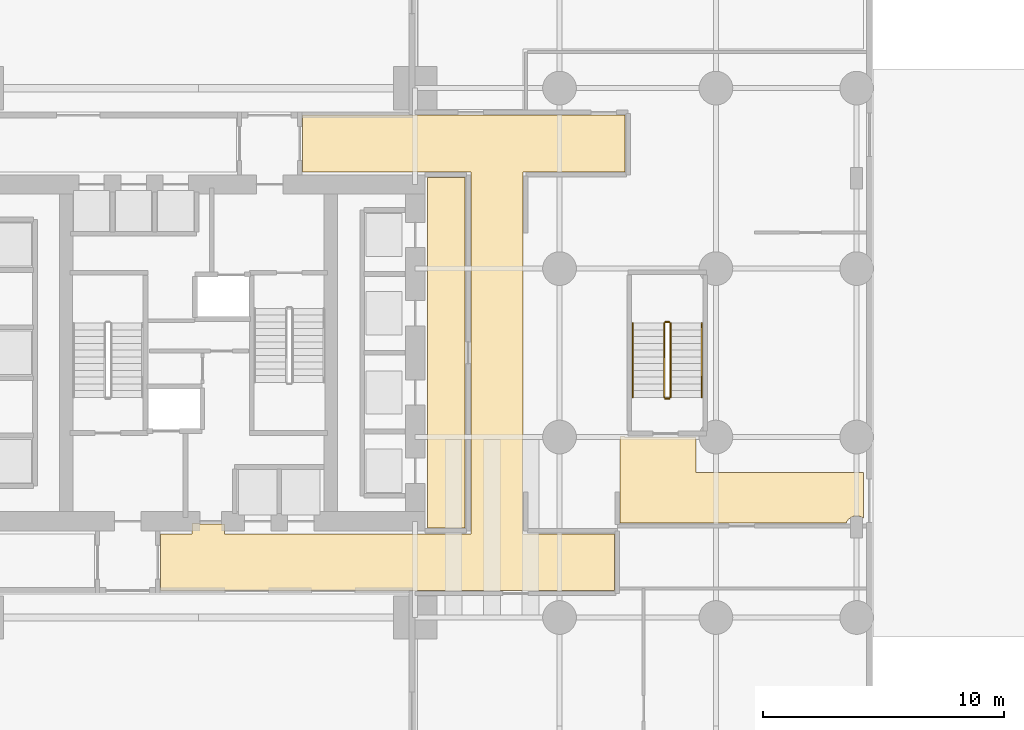
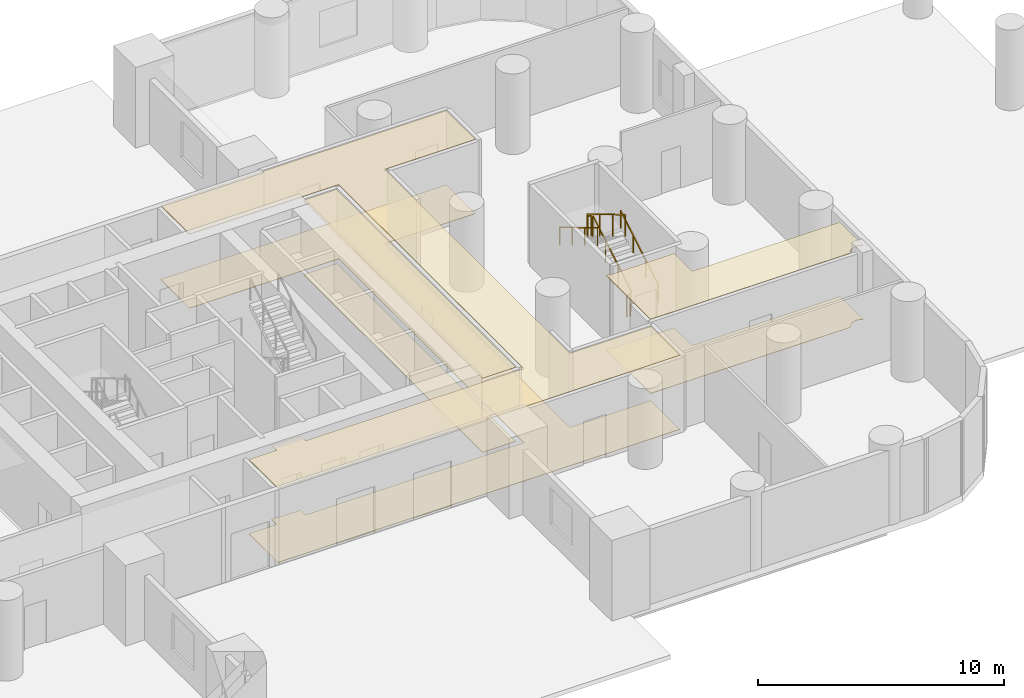
# One storey, part 8 of 10: 6 coverings, 6 railings.
"""IFC4 building model written with IfcOpenShell, lengths in metres."""

import ifcopenshell
import ifcopenshell.guid

model = None  # the IFC model being written
_history = None  # IfcOwnerHistory: only IFC2X3 demands one
_inside = {}  # id of a spatial element -> (the spatial element, [elements in it])
_under = {}  # id of a project, library or spatial element -> (it, [spatial elements below it])
_declared = {}  # id of a project -> (the project, [libraries it declares])
_typed = {}  # id of a type object -> (the type object, [elements of that type])
_made_of = {}  # id of a material, layer set ... -> (it, [elements and type objects made of it])


def new_model(schema):
    """Start an empty IFC model of exactly this schema.

    Asked for "IFC4X3", IfcOpenShell would pick the latest addendum, in which some entities
    have other attributes; the version numbers below select the first issue.
    IFC2X3 requires an IfcOwnerHistory on every rooted entity: one is made here for all.
    """
    global model, _history
    if schema == "IFC4X3":
        model = ifcopenshell.file(schema_version=(4, 3, 0, 0))
    else:
        model = ifcopenshell.file(schema=schema)
    _inside.clear()
    _under.clear()
    _declared.clear()
    _typed.clear()
    _made_of.clear()
    _history = None
    if model.schema == "IFC2X3":
        org = make("IfcOrganization", Name="unknown")
        user = make(
            "IfcPersonAndOrganization",
            ThePerson=make("IfcPerson", FamilyName="unknown"),
            TheOrganization=org,
        )
        app = make(
            "IfcApplication",
            ApplicationDeveloper=org,
            Version="unknown",
            ApplicationFullName="unknown",
            ApplicationIdentifier="unknown",
        )
        _history = make(
            "IfcOwnerHistory",
            OwningUser=user,
            OwningApplication=app,
            ChangeAction="ADDED",
            CreationDate=0,
        )
    return model


def make(cls, **values):
    """One entity of the class cls with the attributes given. An attribute that is None is left unset."""
    return model.create_entity(
        cls, **{name: value for name, value in values.items() if value is not None}
    )


def rooted(cls, **values):
    """An entity with a GlobalId (a new one), such as an element, a storey or a relation."""
    return make(cls, GlobalId=ifcopenshell.guid.new(), OwnerHistory=_history, **values)


def si_unit(unit_type, name, prefix=None):
    """IfcSIUnit, for example si_unit("LENGTHUNIT", "METRE", prefix="MILLI")."""
    return make("IfcSIUnit", UnitType=unit_type, Prefix=prefix, Name=name)


def assignment(units):
    """IfcUnitAssignment: the units of a project."""
    return None if units is None else make("IfcUnitAssignment", Units=units)


def point(xyz):
    """IfcCartesianPoint."""
    return None if xyz is None else make("IfcCartesianPoint", Coordinates=xyz)


def direction(xyz):
    """IfcDirection."""
    return None if xyz is None else make("IfcDirection", DirectionRatios=xyz)


def frame(location, z_axis=None, x_axis=None):
    """IfcAxis2Placement3D, a coordinate frame: its origin and axes. An axis left out is left unset."""
    return make(
        "IfcAxis2Placement3D",
        Location=point(location),
        Axis=direction(z_axis),
        RefDirection=direction(x_axis),
    )


def frame_2d(location, x_axis=None):
    """IfcAxis2Placement2D, a coordinate frame in the plane: its origin and x axis."""
    return make(
        "IfcAxis2Placement2D", Location=point(location), RefDirection=direction(x_axis)
    )


def origin():
    """The frame at (0, 0, 0) with its axes left unset."""
    return frame((0.0, 0.0, 0.0))


def origin_2d():
    """The frame at (0, 0) in the plane with its x axis left unset."""
    return frame_2d((0.0, 0.0))


def place(relative_to, where):
    """IfcLocalPlacement: puts the frame where relative to a parent placement (None: the world)."""
    return make(
        "IfcLocalPlacement", PlacementRelTo=relative_to, RelativePlacement=where
    )


def context(
    kind, dimensions, precision=None, world=None, true_north=None, identifier=None
):
    """IfcGeometricRepresentationContext, for example the 3D "Model" context."""
    return make(
        "IfcGeometricRepresentationContext",
        ContextIdentifier=identifier,
        ContextType=kind,
        CoordinateSpaceDimension=dimensions,
        Precision=precision,
        WorldCoordinateSystem=world,
        TrueNorth=true_north,
    )


def subcontext(parent, identifier, kind, view, scale=None):
    """IfcGeometricRepresentationSubContext, for example "Body" below "Model"."""
    return make(
        "IfcGeometricRepresentationSubContext",
        ContextIdentifier=identifier,
        ContextType=kind,
        ParentContext=parent,
        TargetScale=scale,
        TargetView=view,
    )


def project(units=None, contexts=None):
    """IfcProject with its units and contexts."""
    return rooted(
        "IfcProject",
        Name="project",
        RepresentationContexts=contexts,
        UnitsInContext=assignment(units),
    )


def spatial(cls, under=None, at=None, **own):
    """A site, building, storey or space (cls), placed at a placement, below another one or the project."""
    s = rooted(cls, ObjectPlacement=at, **own)
    if under is not None:
        _under.setdefault(under.id(), (under, []))[1].append(s)
    return s


def polyline(points):
    """IfcPolyline through the points."""
    return make("IfcPolyline", Points=[point(p) for p in points])


def profile(cls, at=None, kind="AREA", **sizes):
    """A parametric profile (cls). Its sizes go by their IFC names, for example OverallWidth=200.0."""
    return make(cls, ProfileType=kind, Position=at, **sizes)


def rectangle(**sizes):
    """IfcRectangleProfileDef."""
    return profile("IfcRectangleProfileDef", **sizes)


def outline(outer, holes=None, kind="AREA"):
    """IfcArbitraryClosedProfileDef: a profile drawn as a closed curve; with holes, ...WithVoids."""
    if holes is None:
        return make("IfcArbitraryClosedProfileDef", ProfileType=kind, OuterCurve=outer)
    return make(
        "IfcArbitraryProfileDefWithVoids",
        ProfileType=kind,
        OuterCurve=outer,
        InnerCurves=holes,
    )


def extrude(swept, where, along, depth):
    """IfcExtrudedAreaSolid: the profile swept, set in the frame where, extruded along a direction by depth."""
    return make(
        "IfcExtrudedAreaSolid",
        SweptArea=swept,
        Position=where,
        ExtrudedDirection=direction(along),
        Depth=depth,
    )


def shape(context_of_items, identifier, shape_type, items):
    """IfcShapeRepresentation: the items that make up one representation, for example the "Body"."""
    return make(
        "IfcShapeRepresentation",
        ContextOfItems=context_of_items,
        RepresentationIdentifier=identifier,
        RepresentationType=shape_type,
        Items=items,
    )


def material(Name=None, Category=None):
    """IfcMaterial."""
    return make("IfcMaterial", Name=Name, Category=Category)


def layer(
    of_material, thickness, ventilated=None, Name=None, Category=None, Priority=None
):
    """IfcMaterialLayer: one layer of a wall or slab, of a material (None: an air gap)."""
    return make(
        "IfcMaterialLayer",
        Material=of_material,
        LayerThickness=thickness,
        IsVentilated=ventilated,
        Name=Name,
        Category=Category,
        Priority=Priority,
    )


def layer_set(layers, Name=None):
    """IfcMaterialLayerSet."""
    return make("IfcMaterialLayerSet", MaterialLayers=layers, LayerSetName=Name)


def made_of(thing, what):
    """Note that an element or type object is made of a material, layer set ...; save() writes the relation."""
    if what is not None:
        _made_of.setdefault(what.id(), (what, []))[1].append(thing)
    return thing


def type_object(cls, material=None, **own):
    """A type object (cls), such as IfcWallType, which elements share."""
    return made_of(rooted(cls, **own), material)


def element(
    cls,
    number,
    at=None,
    inside=None,
    cuts=None,
    type_object=None,
    material=None,
    context=None,
    identifier="Body",
    shape_type=None,
    held_by="IfcProductDefinitionShape",
    body=None,
    shapes=None,
    **own,
):
    """One element of the class cls, such as IfcWall. Its Tag is "e" and its number.

    at: its placement. inside: the storey or other place that contains it. cuts: it is an
    opening in that element (IfcRelVoidsElement). A single representation is given by context,
    identifier, shape_type and body (its items); several are given by shapes. held_by: the class
    of the entity that holds the representations. save() writes the other relations.
    """
    e = rooted(cls, Tag="e%d" % number, ObjectPlacement=at, **own)
    if body is not None:
        shapes = [shape(context, identifier, shape_type, body)]
    if shapes is not None:
        e.Representation = make(held_by, Representations=shapes)
    if inside is not None:
        _inside.setdefault(inside.id(), (inside, []))[1].append(e)
    if cuts is not None:
        rooted(
            "IfcRelVoidsElement", RelatingBuildingElement=cuts, RelatedOpeningElement=e
        )
    if type_object is not None:
        _typed.setdefault(type_object.id(), (type_object, []))[1].append(e)
    return made_of(e, material)


def aggregate(whole, parts):
    """IfcRelAggregates: a whole, such as a stair, and the parts it consists of."""
    return rooted("IfcRelAggregates", RelatingObject=whole, RelatedObjects=parts)


def save(model, path):
    """Write the relations noted so far, then the file.

    IfcRelAggregates (storeys below a building ...), IfcRelContainedInSpatialStructure (elements
    in a storey), IfcRelDefinesByType, IfcRelAssociatesMaterial and IfcRelDeclares: one each for
    every whole, place, type object, material and project.
    """
    for whole, parts in _under.values():
        aggregate(whole, parts)
    for where, things in _inside.values():
        rooted(
            "IfcRelContainedInSpatialStructure",
            RelatedElements=things,
            RelatingStructure=where,
        )
    for kind, things in _typed.values():
        rooted("IfcRelDefinesByType", RelatedObjects=things, RelatingType=kind)
    for what, things in _made_of.values():
        rooted("IfcRelAssociatesMaterial", RelatedObjects=things, RelatingMaterial=what)
    for by, libraries in _declared.values():
        rooted("IfcRelDeclares", RelatingContext=by, RelatedDefinitions=libraries)
    model.write(path)


model = new_model("IFC4")

# Units and contexts
model_context = context("Model", 3, precision=1e-05, world=origin(), true_north=direction((0.0, 1.0)))
body_context = subcontext(model_context, "Body", "Model", "MODEL_VIEW")
ifc_project = project(units=[si_unit("LENGTHUNIT", "METRE"), si_unit("AREAUNIT", "SQUARE_METRE"), si_unit("VOLUMEUNIT", "CUBIC_METRE"), si_unit("PLANEANGLEUNIT", "RADIAN"), si_unit("MASSUNIT", "GRAM", prefix="KILO")], contexts=[model_context])

# Site, building, storey
site_placement = place(None, origin())
site = spatial("IfcSite", under=ifc_project, at=site_placement, CompositionType="ELEMENT")
building_placement = place(site_placement, origin())
building = spatial("IfcBuilding", under=site, at=building_placement, Name="Veldorim Arch Residences", CompositionType="ELEMENT")
storey_placement = place(building_placement, origin())
storey = spatial("IfcBuildingStorey", under=building, at=storey_placement, Name="L00", CompositionType="ELEMENT", Elevation=0.0)

# Railings
ifc_material_1 = material(Name="Steel S355", Category="steel")
railing_type_1 = type_object("IfcRailingType", Name="Galvanised Steel Stair Safety Guardrail 1100", PredefinedType="GUARDRAIL", material=ifc_material_1)
railing_1_placement = place(storey_placement, frame((51.610107421875, 22.14990234375, 0.166748046875)))
element("IfcRailing", 1, at=railing_1_placement, inside=storey, type_object=railing_type_1, Name="L00 ST-3 stair guard 1", PredefinedType="GUARDRAIL", context=body_context, shape_type="SweptSolid", body=[
    extrude(rectangle(XDim=0.048095703125, YDim=0.048095703125, at=origin_2d()), frame((0.0, 0.0, 1.076171875), z_axis=(0.0, 0.859308565015, 0.511457515432), x_axis=(-1.0, 0.0, 0.0)), (0.0, 0.0, 1.0), 3.58447265625),
    extrude(rectangle(XDim=0.0419921875, YDim=0.0419921875, at=origin_2d()), origin(), (0.0, 0.0, 1.0), 1.052001953125),
    extrude(rectangle(XDim=0.0419921875, YDim=0.0419921875, at=origin_2d()), frame((0.0, 1.026611328125, 0.611083984375)), (0.0, 0.0, 1.0), 1.052001953125),
    extrude(rectangle(XDim=0.0419921875, YDim=0.0419921875, at=origin_2d()), frame((0.0, 2.053466796875, 1.22216796875)), (0.0, 0.0, 1.0), 1.052001953125),
    extrude(rectangle(XDim=0.0419921875, YDim=0.0419921875, at=origin_2d()), frame((0.0, 3.080078125, 1.833251953125)), (0.0, 0.0, 1.0), 1.052001953125),
])
railing_2_placement = place(storey_placement, frame((51.56005859375, 25.280029296875, 2.0)))
element("IfcRailing", 2, at=railing_2_placement, inside=storey, type_object=railing_type_1, Name="L00 ST-3 stair guard 2", PredefinedType="GUARDRAIL", context=body_context, shape_type="SweptSolid", body=[
    extrude(rectangle(XDim=0.048095703125, YDim=0.048095703125, at=origin_2d()), frame((0.0, 0.0, 1.076171875), z_axis=(-1.0, 0.0, 0.0), x_axis=(0.0, -1.0, 0.0)), (0.0, 0.0, 1.0), 0.16015625),
    extrude(rectangle(XDim=0.0419921875, YDim=0.0419921875, at=origin_2d()), origin(), (0.0, 0.0, 1.0), 1.052001953125),
    extrude(rectangle(XDim=0.0419921875, YDim=0.0419921875, at=origin_2d()), frame((-0.16015625, 0.0, 0.0)), (0.0, 0.0, 1.0), 1.052001953125),
])
railing_3_placement = place(storey_placement, frame((51.35009765625, 25.22998046875, 2.166748046875)))
element("IfcRailing", 3, at=railing_3_placement, inside=storey, type_object=railing_type_1, Name="L00 ST-3 stair guard 3", PredefinedType="GUARDRAIL", context=body_context, shape_type="SweptSolid", body=[
    extrude(rectangle(XDim=0.048095703125, YDim=0.048095703125, at=origin_2d()), frame((0.0, 0.0, 1.076171875), z_axis=(0.0, -0.859308565015, 0.511457515432), x_axis=(1.0, 0.0, 0.0)), (0.0, 0.0, 1.0), 3.58447265625),
    extrude(rectangle(XDim=0.0419921875, YDim=0.0419921875, at=origin_2d()), origin(), (0.0, 0.0, 1.0), 1.052001953125),
    extrude(rectangle(XDim=0.0419921875, YDim=0.0419921875, at=origin_2d()), frame((0.0, -1.026611328125, 0.611083984375)), (0.0, 0.0, 1.0), 1.052001953125),
    extrude(rectangle(XDim=0.0419921875, YDim=0.0419921875, at=origin_2d()), frame((0.0, -2.053466796875, 1.22216796875)), (0.0, 0.0, 1.0), 1.052001953125),
    extrude(rectangle(XDim=0.0419921875, YDim=0.0419921875, at=origin_2d()), frame((0.0, -3.080078125, 1.833251953125)), (0.0, 0.0, 1.0), 1.052001953125),
])
railing_4_placement = place(storey_placement, frame((51.56005859375, 22.10009765625, 0.0)))
element("IfcRailing", 4, at=railing_4_placement, inside=storey, type_object=railing_type_1, Name="L00 ST-3 stair guard 4", PredefinedType="GUARDRAIL", context=body_context, shape_type="SweptSolid", body=[
    extrude(rectangle(XDim=0.048095703125, YDim=0.048095703125, at=origin_2d()), frame((0.0, 0.0, 1.076171875), z_axis=(-1.0, 0.0, 0.0), x_axis=(0.0, -1.0, 0.0)), (0.0, 0.0, 1.0), 0.16015625),
    extrude(rectangle(XDim=0.0419921875, YDim=0.0419921875, at=origin_2d()), origin(), (0.0, 0.0, 1.0), 1.052001953125),
    extrude(rectangle(XDim=0.0419921875, YDim=0.0419921875, at=origin_2d()), frame((-0.16015625, 0.0, 0.0)), (0.0, 0.0, 1.0), 1.052001953125),
])

# Coverings
ifc_material_2 = material(Name="Acoustic Gypsum & Mineral Fibre", Category="gypsum")
ifc_layer_1 = layer(ifc_material_2, 0.034912109375, Name="Perforated Acoustic Mineral-Fibre Ceiling 35")
ifc_layer_set_1 = layer_set([ifc_layer_1], Name="Acoustic Gypsum & Mineral Fibre")
covering_type_1 = type_object("IfcCoveringType", Name="Perforated Acoustic Mineral-Fibre Ceiling 35", PredefinedType="CEILING", material=ifc_layer_set_1)
covering_1_placement = place(storey_placement, frame((0.0, 0.0, 3.6650390625)))
element("IfcCovering", 5, at=covering_1_placement, inside=storey, type_object=covering_type_1, Name="L00 acoustic suspended ceiling 01", PredefinedType="CEILING", context=body_context, shape_type="SweptSolid", body=[
    extrude(outline(polyline([(49.52001953125, 20.530029296875), (49.72998046875, 20.530029296875), (49.72998046875, 20.47998046875), (52.679931640625, 20.47998046875), (52.679931640625, 19.030029296875), (59.6298828125, 19.030029296875), (59.6298828125, 17.12890625), (59.58740234375, 17.161376953125), (59.472900390625, 17.208740234375), (59.35009765625, 17.22509765625), (59.22705078125, 17.208740234375), (59.112548828125, 17.161376953125), (59.01416015625, 17.0859375), (58.938720703125, 16.987548828125), (58.91064453125, 16.919921875), (49.52001953125, 16.919921875), (49.52001953125, 20.530029296875)])), origin(), (0.0, 0.0, 1.0), 0.034912109375),
])
covering_2_placement = place(storey_placement, frame((0.0, 0.0, 3.6650390625)))
element("IfcCovering", 6, at=covering_2_placement, inside=storey, type_object=covering_type_1, Name="L00 acoustic suspended ceiling 02", PredefinedType="CEILING", context=body_context, shape_type="SweptSolid", body=[
    extrude(outline(polyline([(32.030029296875, 16.8798828125), (33.080078125, 16.8798828125), (33.080078125, 16.47998046875), (43.320068359375, 16.47998046875), (43.320068359375, 31.52001953125), (36.320068359375, 31.52001953125), (36.320068359375, 33.8798828125), (49.72998046875, 33.8798828125), (49.72998046875, 31.52001953125), (45.47998046875, 31.52001953125), (45.47998046875, 16.47998046875), (49.280029296875, 16.47998046875), (49.280029296875, 14.1201171875), (30.419921875, 14.1201171875), (30.419921875, 16.47998046875), (31.719970703125, 16.47998046875), (31.719970703125, 16.89990234375), (32.030029296875, 16.89990234375), (32.030029296875, 16.8798828125)])), origin(), (0.0, 0.0, 1.0), 0.034912109375),
])
covering_3_placement = place(storey_placement, frame((0.0, 0.0, 3.6650390625)))
element("IfcCovering", 7, at=covering_3_placement, inside=storey, type_object=covering_type_1, Name="L00 acoustic suspended ceiling 05", PredefinedType="CEILING", context=body_context, shape_type="SweptSolid", body=[
    extrude(outline(polyline([(43.080078125, 16.719970703125), (41.52001953125, 16.719970703125), (41.52001953125, 31.280029296875), (43.080078125, 31.280029296875), (43.080078125, 16.719970703125)])), origin(), (0.0, 0.0, 1.0), 0.034912109375),
])
ifc_material_3 = material(Name="Porcelain Ceramic Tile", Category="ceramic")
ifc_layer_2 = layer(ifc_material_3, 0.02001953125, Name="Slip-Resistant Porcelain & Vinyl Floor Finish 20")
ifc_layer_set_2 = layer_set([ifc_layer_2], Name="Porcelain Ceramic Tile")
covering_type_2 = type_object("IfcCoveringType", Name="Slip-Resistant Porcelain & Vinyl Floor Finish 20", PredefinedType="FLOORING", material=ifc_layer_set_2)
covering_4_placement = place(storey_placement, origin())
element("IfcCovering", 8, at=covering_4_placement, inside=storey, type_object=covering_type_2, Name="L00 porcelain floor finish 01", PredefinedType="FLOORING", context=body_context, shape_type="SweptSolid", body=[
    extrude(outline(polyline([(49.52001953125, 20.530029296875), (49.72998046875, 20.530029296875), (49.72998046875, 20.47998046875), (52.679931640625, 20.47998046875), (52.679931640625, 19.030029296875), (59.6298828125, 19.030029296875), (59.6298828125, 17.12890625), (59.58740234375, 17.161376953125), (59.472900390625, 17.208740234375), (59.35009765625, 17.22509765625), (59.22705078125, 17.208740234375), (59.112548828125, 17.161376953125), (59.01416015625, 17.0859375), (58.938720703125, 16.987548828125), (58.91064453125, 16.919921875), (49.52001953125, 16.919921875), (49.52001953125, 20.530029296875)])), origin(), (0.0, 0.0, 1.0), 0.02001953125),
])
covering_5_placement = place(storey_placement, origin())
element("IfcCovering", 9, at=covering_5_placement, inside=storey, type_object=covering_type_2, Name="L00 porcelain floor finish 02", PredefinedType="FLOORING", context=body_context, shape_type="SweptSolid", body=[
    extrude(outline(polyline([(32.030029296875, 16.8798828125), (33.080078125, 16.8798828125), (33.080078125, 16.47998046875), (43.320068359375, 16.47998046875), (43.320068359375, 31.52001953125), (36.320068359375, 31.52001953125), (36.320068359375, 33.8798828125), (49.72998046875, 33.8798828125), (49.72998046875, 31.52001953125), (45.47998046875, 31.52001953125), (45.47998046875, 16.47998046875), (49.280029296875, 16.47998046875), (49.280029296875, 14.1201171875), (30.419921875, 14.1201171875), (30.419921875, 16.47998046875), (31.719970703125, 16.47998046875), (31.719970703125, 16.89990234375), (32.030029296875, 16.89990234375), (32.030029296875, 16.8798828125)])), origin(), (0.0, 0.0, 1.0), 0.02001953125),
])
covering_6_placement = place(storey_placement, origin())
element("IfcCovering", 10, at=covering_6_placement, inside=storey, type_object=covering_type_2, Name="L00 porcelain floor finish 05", PredefinedType="FLOORING", context=body_context, shape_type="SweptSolid", body=[
    extrude(outline(polyline([(43.080078125, 16.719970703125), (41.52001953125, 16.719970703125), (41.52001953125, 31.280029296875), (43.080078125, 31.280029296875), (43.080078125, 16.719970703125)])), origin(), (0.0, 0.0, 1.0), 0.02001953125),
])

# Railings
ifc_material_4 = material(Name="Stainless Steel", Category="steel")
railing_type_2 = type_object("IfcRailingType", Name="Tubular Steel Continuous Wall Handrail 900", PredefinedType="HANDRAIL", material=ifc_material_4)
railing_5_placement = place(storey_placement, frame((52.909912109375, 22.14990234375, 0.166748046875)))
element("IfcRailing", 11, at=railing_5_placement, inside=storey, type_object=railing_type_2, Name="L00 ST-3 stair handrail 1", PredefinedType="HANDRAIL", context=body_context, shape_type="SweptSolid", body=[
    extrude(rectangle(XDim=0.048095703125, YDim=0.048095703125, at=origin_2d()), frame((0.0, 0.0, 0.8759765625), z_axis=(0.0, 0.859308565015, 0.511457515432), x_axis=(-1.0, 0.0, 0.0)), (0.0, 0.0, 1.0), 3.58447265625),
    extrude(rectangle(XDim=0.0419921875, YDim=0.0419921875, at=origin_2d()), origin(), (0.0, 0.0, 1.0), 0.851806640625),
    extrude(rectangle(XDim=0.0419921875, YDim=0.0419921875, at=origin_2d()), frame((0.0, 1.026611328125, 0.611083984375)), (0.0, 0.0, 1.0), 0.851806640625),
    extrude(rectangle(XDim=0.0419921875, YDim=0.0419921875, at=origin_2d()), frame((0.0, 2.053466796875, 1.22216796875)), (0.0, 0.0, 1.0), 0.851806640625),
    extrude(rectangle(XDim=0.0419921875, YDim=0.0419921875, at=origin_2d()), frame((0.0, 3.080078125, 1.833251953125)), (0.0, 0.0, 1.0), 0.851806640625),
])
railing_6_placement = place(storey_placement, frame((50.050048828125, 25.22998046875, 2.166748046875)))
element("IfcRailing", 12, at=railing_6_placement, inside=storey, type_object=railing_type_2, Name="L00 ST-3 stair handrail 2", PredefinedType="HANDRAIL", context=body_context, shape_type="SweptSolid", body=[
    extrude(rectangle(XDim=0.048095703125, YDim=0.048095703125, at=origin_2d()), frame((0.0, 0.0, 0.8759765625), z_axis=(0.0, -0.859308565015, 0.511457515432), x_axis=(1.0, 0.0, 0.0)), (0.0, 0.0, 1.0), 3.58447265625),
    extrude(rectangle(XDim=0.0419921875, YDim=0.0419921875, at=origin_2d()), origin(), (0.0, 0.0, 1.0), 0.851806640625),
    extrude(rectangle(XDim=0.0419921875, YDim=0.0419921875, at=origin_2d()), frame((0.0, -1.026611328125, 0.611083984375)), (0.0, 0.0, 1.0), 0.851806640625),
    extrude(rectangle(XDim=0.0419921875, YDim=0.0419921875, at=origin_2d()), frame((0.0, -2.053466796875, 1.22216796875)), (0.0, 0.0, 1.0), 0.851806640625),
    extrude(rectangle(XDim=0.0419921875, YDim=0.0419921875, at=origin_2d()), frame((0.0, -3.080078125, 1.833251953125)), (0.0, 0.0, 1.0), 0.851806640625),
])

save(model, "model.ifc")
